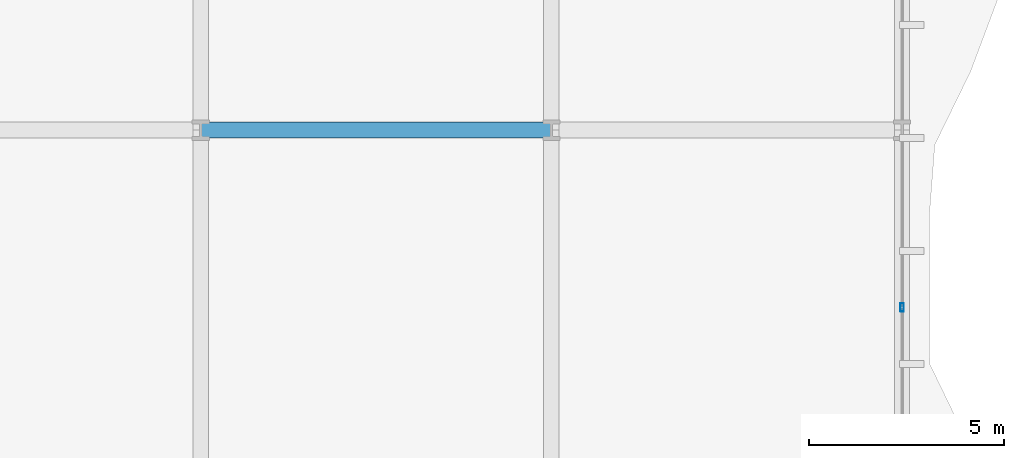
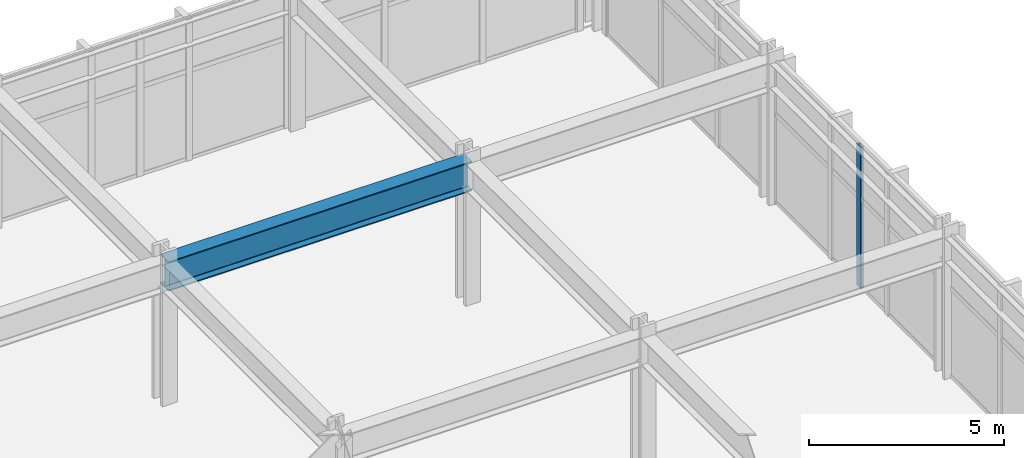
# One storey, part 17 of 31: 1 beam, 1 member, 1 element without a shape of its own.
"""IFC4 building model written with IfcOpenShell, lengths in metres."""

import ifcopenshell
import ifcopenshell.guid

model = None  # the IFC model being written
_history = None  # IfcOwnerHistory: only IFC2X3 demands one
_inside = {}  # id of a spatial element -> (the spatial element, [elements in it])
_under = {}  # id of a project, library or spatial element -> (it, [spatial elements below it])
_declared = {}  # id of a project -> (the project, [libraries it declares])
_typed = {}  # id of a type object -> (the type object, [elements of that type])
_made_of = {}  # id of a material, layer set ... -> (it, [elements and type objects made of it])


def new_model(schema):
    """Start an empty IFC model of exactly this schema.

    Asked for "IFC4X3", IfcOpenShell would pick the latest addendum, in which some entities
    have other attributes; the version numbers below select the first issue.
    IFC2X3 requires an IfcOwnerHistory on every rooted entity: one is made here for all.
    """
    global model, _history
    if schema == "IFC4X3":
        model = ifcopenshell.file(schema_version=(4, 3, 0, 0))
    else:
        model = ifcopenshell.file(schema=schema)
    _inside.clear()
    _under.clear()
    _declared.clear()
    _typed.clear()
    _made_of.clear()
    _history = None
    if model.schema == "IFC2X3":
        org = make("IfcOrganization", Name="unknown")
        user = make(
            "IfcPersonAndOrganization",
            ThePerson=make("IfcPerson", FamilyName="unknown"),
            TheOrganization=org,
        )
        app = make(
            "IfcApplication",
            ApplicationDeveloper=org,
            Version="unknown",
            ApplicationFullName="unknown",
            ApplicationIdentifier="unknown",
        )
        _history = make(
            "IfcOwnerHistory",
            OwningUser=user,
            OwningApplication=app,
            ChangeAction="ADDED",
            CreationDate=0,
        )
    return model


def make(cls, **values):
    """One entity of the class cls with the attributes given. An attribute that is None is left unset."""
    return model.create_entity(
        cls, **{name: value for name, value in values.items() if value is not None}
    )


def rooted(cls, **values):
    """An entity with a GlobalId (a new one), such as an element, a storey or a relation."""
    return make(cls, GlobalId=ifcopenshell.guid.new(), OwnerHistory=_history, **values)


def si_unit(unit_type, name, prefix=None):
    """IfcSIUnit, for example si_unit("LENGTHUNIT", "METRE", prefix="MILLI")."""
    return make("IfcSIUnit", UnitType=unit_type, Prefix=prefix, Name=name)


def assignment(units):
    """IfcUnitAssignment: the units of a project."""
    return None if units is None else make("IfcUnitAssignment", Units=units)


def point(xyz):
    """IfcCartesianPoint."""
    return None if xyz is None else make("IfcCartesianPoint", Coordinates=xyz)


def direction(xyz):
    """IfcDirection."""
    return None if xyz is None else make("IfcDirection", DirectionRatios=xyz)


def frame(location, z_axis=None, x_axis=None):
    """IfcAxis2Placement3D, a coordinate frame: its origin and axes. An axis left out is left unset."""
    return make(
        "IfcAxis2Placement3D",
        Location=point(location),
        Axis=direction(z_axis),
        RefDirection=direction(x_axis),
    )


def frame_2d(location, x_axis=None):
    """IfcAxis2Placement2D, a coordinate frame in the plane: its origin and x axis."""
    return make(
        "IfcAxis2Placement2D", Location=point(location), RefDirection=direction(x_axis)
    )


def origin():
    """The frame at (0, 0, 0) with its axes left unset."""
    return frame((0.0, 0.0, 0.0))


def origin_2d():
    """The frame at (0, 0) in the plane with its x axis left unset."""
    return frame_2d((0.0, 0.0))


def place(relative_to, where):
    """IfcLocalPlacement: puts the frame where relative to a parent placement (None: the world)."""
    return make(
        "IfcLocalPlacement", PlacementRelTo=relative_to, RelativePlacement=where
    )


def context(
    kind, dimensions, precision=None, world=None, true_north=None, identifier=None
):
    """IfcGeometricRepresentationContext, for example the 3D "Model" context."""
    return make(
        "IfcGeometricRepresentationContext",
        ContextIdentifier=identifier,
        ContextType=kind,
        CoordinateSpaceDimension=dimensions,
        Precision=precision,
        WorldCoordinateSystem=world,
        TrueNorth=true_north,
    )


def subcontext(parent, identifier, kind, view, scale=None):
    """IfcGeometricRepresentationSubContext, for example "Body" below "Model"."""
    return make(
        "IfcGeometricRepresentationSubContext",
        ContextIdentifier=identifier,
        ContextType=kind,
        ParentContext=parent,
        TargetScale=scale,
        TargetView=view,
    )


def project(units=None, contexts=None):
    """IfcProject with its units and contexts."""
    return rooted(
        "IfcProject",
        Name="project",
        RepresentationContexts=contexts,
        UnitsInContext=assignment(units),
    )


def spatial(cls, under=None, at=None, **own):
    """A site, building, storey or space (cls), placed at a placement, below another one or the project."""
    s = rooted(cls, ObjectPlacement=at, **own)
    if under is not None:
        _under.setdefault(under.id(), (under, []))[1].append(s)
    return s


def profile(cls, at=None, kind="AREA", **sizes):
    """A parametric profile (cls). Its sizes go by their IFC names, for example OverallWidth=200.0."""
    return make(cls, ProfileType=kind, Position=at, **sizes)


def hollow_rectangle(**sizes):
    """IfcRectangleHollowProfileDef."""
    return profile("IfcRectangleHollowProfileDef", **sizes)


def i_section(**sizes):
    """IfcIShapeProfileDef."""
    return profile("IfcIShapeProfileDef", **sizes)


def extrude(swept, where, along, depth):
    """IfcExtrudedAreaSolid: the profile swept, set in the frame where, extruded along a direction by depth."""
    return make(
        "IfcExtrudedAreaSolid",
        SweptArea=swept,
        Position=where,
        ExtrudedDirection=direction(along),
        Depth=depth,
    )


def shape(context_of_items, identifier, shape_type, items):
    """IfcShapeRepresentation: the items that make up one representation, for example the "Body"."""
    return make(
        "IfcShapeRepresentation",
        ContextOfItems=context_of_items,
        RepresentationIdentifier=identifier,
        RepresentationType=shape_type,
        Items=items,
    )


def material(Name=None, Category=None):
    """IfcMaterial."""
    return make("IfcMaterial", Name=Name, Category=Category)


def layer(
    of_material, thickness, ventilated=None, Name=None, Category=None, Priority=None
):
    """IfcMaterialLayer: one layer of a wall or slab, of a material (None: an air gap)."""
    return make(
        "IfcMaterialLayer",
        Material=of_material,
        LayerThickness=thickness,
        IsVentilated=ventilated,
        Name=Name,
        Category=Category,
        Priority=Priority,
    )


def layer_set(layers, Name=None):
    """IfcMaterialLayerSet."""
    return make("IfcMaterialLayerSet", MaterialLayers=layers, LayerSetName=Name)


def material_profile(
    of_material, cross_section, Name=None, Category=None, Priority=None
):
    """IfcMaterialProfile: a cross section and its material."""
    return make(
        "IfcMaterialProfile",
        Name=Name,
        Material=of_material,
        Profile=cross_section,
        Priority=Priority,
        Category=Category,
    )


def profile_set(profiles, Name=None, composite=None):
    """IfcMaterialProfileSet."""
    return make(
        "IfcMaterialProfileSet",
        Name=Name,
        MaterialProfiles=profiles,
        CompositeProfile=composite,
    )


def made_of(thing, what):
    """Note that an element or type object is made of a material, layer set ...; save() writes the relation."""
    if what is not None:
        _made_of.setdefault(what.id(), (what, []))[1].append(thing)
    return thing


def type_object(cls, material=None, **own):
    """A type object (cls), such as IfcWallType, which elements share."""
    return made_of(rooted(cls, **own), material)


def element(
    cls,
    number,
    at=None,
    inside=None,
    cuts=None,
    type_object=None,
    material=None,
    context=None,
    identifier="Body",
    shape_type=None,
    held_by="IfcProductDefinitionShape",
    body=None,
    shapes=None,
    **own,
):
    """One element of the class cls, such as IfcWall. Its Tag is "e" and its number.

    at: its placement. inside: the storey or other place that contains it. cuts: it is an
    opening in that element (IfcRelVoidsElement). A single representation is given by context,
    identifier, shape_type and body (its items); several are given by shapes. held_by: the class
    of the entity that holds the representations. save() writes the other relations.
    """
    e = rooted(cls, Tag="e%d" % number, ObjectPlacement=at, **own)
    if body is not None:
        shapes = [shape(context, identifier, shape_type, body)]
    if shapes is not None:
        e.Representation = make(held_by, Representations=shapes)
    if inside is not None:
        _inside.setdefault(inside.id(), (inside, []))[1].append(e)
    if cuts is not None:
        rooted(
            "IfcRelVoidsElement", RelatingBuildingElement=cuts, RelatedOpeningElement=e
        )
    if type_object is not None:
        _typed.setdefault(type_object.id(), (type_object, []))[1].append(e)
    return made_of(e, material)


def aggregate(whole, parts):
    """IfcRelAggregates: a whole, such as a stair, and the parts it consists of."""
    return rooted("IfcRelAggregates", RelatingObject=whole, RelatedObjects=parts)


def save(model, path):
    """Write the relations noted so far, then the file.

    IfcRelAggregates (storeys below a building ...), IfcRelContainedInSpatialStructure (elements
    in a storey), IfcRelDefinesByType, IfcRelAssociatesMaterial and IfcRelDeclares: one each for
    every whole, place, type object, material and project.
    """
    for whole, parts in _under.values():
        aggregate(whole, parts)
    for where, things in _inside.values():
        rooted(
            "IfcRelContainedInSpatialStructure",
            RelatedElements=things,
            RelatingStructure=where,
        )
    for kind, things in _typed.values():
        rooted("IfcRelDefinesByType", RelatedObjects=things, RelatingType=kind)
    for what, things in _made_of.values():
        rooted("IfcRelAssociatesMaterial", RelatedObjects=things, RelatingMaterial=what)
    for by, libraries in _declared.values():
        rooted("IfcRelDeclares", RelatingContext=by, RelatedDefinitions=libraries)
    model.write(path)


model = new_model("IFC4")

# Units and contexts
model_context = context("Model", 3, precision=1e-05, world=origin(), true_north=direction((0.0, 1.0)))
body_context = subcontext(model_context, "Body", "Model", "MODEL_VIEW")
ifc_project = project(units=[si_unit("LENGTHUNIT", "METRE"), si_unit("AREAUNIT", "SQUARE_METRE"), si_unit("VOLUMEUNIT", "CUBIC_METRE"), si_unit("PLANEANGLEUNIT", "RADIAN"), si_unit("MASSUNIT", "GRAM", prefix="KILO")], contexts=[model_context])

# Site, building, storey
site_placement = place(None, origin())
site = spatial("IfcSite", under=ifc_project, at=site_placement, CompositionType="ELEMENT")
building_placement = place(site_placement, origin())
building = spatial("IfcBuilding", under=site, at=building_placement, Name="Solvaryn Broadcast Tower", CompositionType="ELEMENT")
storey_placement = place(building_placement, frame((0.0, 0.0, 26.0)))
storey = spatial("IfcBuildingStorey", under=building, at=storey_placement, Name="L05", CompositionType="ELEMENT", Elevation=26.0)

# Beam
ifc_material_1 = material(Name="Steel ASTM A992 Grade 50", Category="steel")
ifc_material_profile_1 = material_profile(ifc_material_1, i_section(OverallWidth=0.41796875, OverallDepth=0.927001953125, WebThickness=0.019287109375, FlangeThickness=0.031982421875, FilletRadius=0.02392578125, at=origin_2d()))
ifc_profile_set_1 = profile_set([ifc_material_profile_1], Name="Steel ASTM A992 Grade 50")
beam_type = type_object("IfcBeamType", Name="BM-G2-W36X231", PredefinedType="BEAM", material=ifc_profile_set_1)
beam_placement = place(storey_placement, frame((45.0, 45.0, 3.9765625), z_axis=(1.0, 0.0, 0.0), x_axis=(0.0, 1.0, 0.0)))
element("IfcBeam", 1, at=beam_placement, inside=storey, type_object=beam_type, Name="L05 Primary Beam X (45-54 @ Y=45)", PredefinedType="BEAM", context=body_context, shape_type="SweptSolid", body=[
    extrude(i_section(OverallWidth=0.41796875, OverallDepth=0.927001953125, WebThickness=0.019287109375, FlangeThickness=0.031982421875, FilletRadius=0.02392578125, at=origin_2d()), origin(), (0.0, 0.0, 1.0), 9.0),
])

# Curtain wall, member
ifc_material_2 = material(Name="Aluminium and Terracotta Unitised Curtain Wall", Category="masonry")
ifc_layer = layer(ifc_material_2, 0.219970703125)
ifc_layer_set = layer_set([ifc_layer], Name="CW-SYS1-PODIUM")
curtain_wall_type = type_object("IfcCurtainWallType", Name="CW-SYS1-PODIUM", PredefinedType="NOTDEFINED", material=ifc_layer_set)
curtain_wall_placement = place(storey_placement, origin())
curtain_wall = element("IfcCurtainWall", 2, at=curtain_wall_placement, inside=storey, type_object=curtain_wall_type, Name="L05 Podium Curtain Wall E1", PredefinedType="NOTDEFINED")
ifc_material_3 = material(Name="Anodised Aluminium 6063-T6", Category="aluminium")
ifc_material_profile_2 = material_profile(ifc_material_3, hollow_rectangle(XDim=0.0849609375, YDim=0.219970703125, WallThickness=0.0048828125, InnerFilletRadius=0.0048828125, OuterFilletRadius=0.010009765625, at=origin_2d()))
ifc_profile_set_2 = profile_set([ifc_material_profile_2], Name="Anodised Aluminium 6063-T6")
member_type = type_object("IfcMemberType", Name="CW-MUL-220", PredefinedType="MULLION", material=ifc_profile_set_2)
member_placement = place(storey_placement, frame((63.0, 40.449951171875, 0.0), z_axis=(0.0, 0.0, 1.0), x_axis=(1.0, 0.0, 0.0)))
member = element("IfcMember", 3, at=member_placement, type_object=member_type, Name="CWS1 mullion 2", PredefinedType="MULLION", context=body_context, shape_type="SweptSolid", body=[
    extrude(hollow_rectangle(XDim=0.0849609375, YDim=0.219970703125, WallThickness=0.0048828125, InnerFilletRadius=0.0048828125, OuterFilletRadius=0.010009765625, at=origin_2d()), origin(), (0.0, 0.0, 1.0), 4.43994140625),
])
aggregate(curtain_wall, [member])

save(model, "model.ifc")
